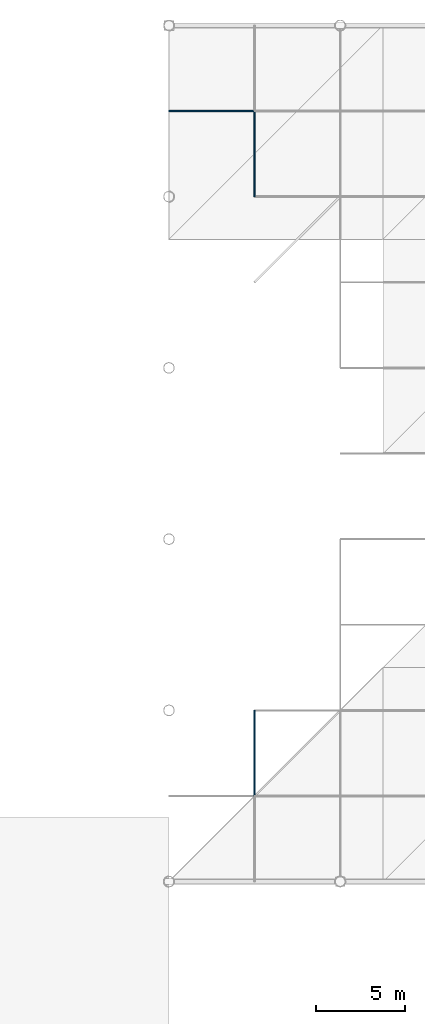
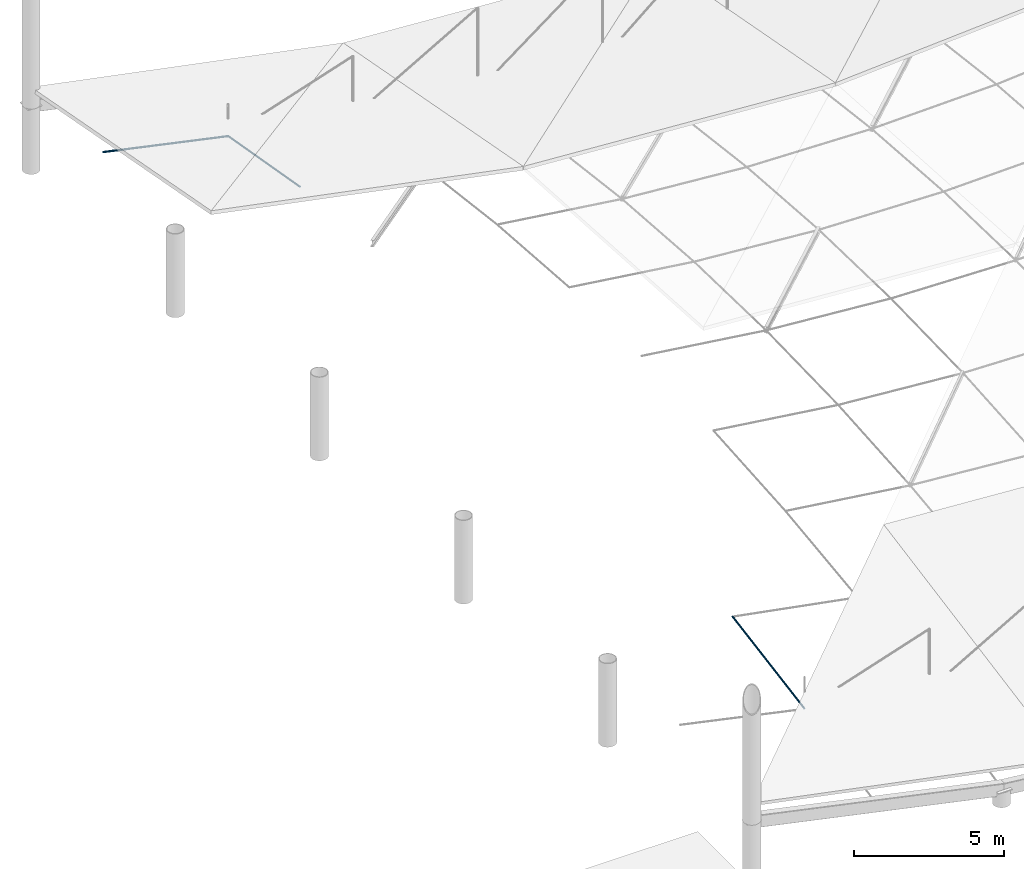
# One storey, part 19 of 40: 3 members.
"""IFC4 building model written with IfcOpenShell, lengths in metres."""

from ifc_helpers import new_model, si_unit, direction, frame, origin, origin_2d, place, context, subcontext, project, spatial, circle, extrude, material, material_profile, profile_set, type_object, element, save


model = new_model("IFC4")

# Units and contexts
model_context = context("Model", 3, precision=1e-05, world=origin(), true_north=direction((0.0, 1.0)))
body_context = subcontext(model_context, "Body", "Model", "MODEL_VIEW")
ifc_project = project(units=[si_unit("LENGTHUNIT", "METRE"), si_unit("AREAUNIT", "SQUARE_METRE"), si_unit("VOLUMEUNIT", "CUBIC_METRE"), si_unit("PLANEANGLEUNIT", "RADIAN"), si_unit("MASSUNIT", "GRAM", prefix="KILO")], contexts=[model_context])

# Site, building, storey
site_placement = place(None, origin())
site = spatial("IfcSite", under=ifc_project, at=site_placement, CompositionType="ELEMENT")
building_placement = place(site_placement, origin())
building = spatial("IfcBuilding", under=site, at=building_placement, Name="Zevrakil Square Congress Hotel", CompositionType="ELEMENT")
storey_placement = place(building_placement, frame((0.0, 0.0, 18.10009765625)))
storey = spatial("IfcBuildingStorey", under=building, at=storey_placement, Name="L05", CompositionType="ELEMENT", Elevation=18.10009765625)

# Members
ifc_material_1 = material(Name="Steel S355", Category="steel")
ifc_material_profile_1 = material_profile(ifc_material_1, circle(Radius=0.033935546875, at=origin_2d()), Name="CABLE RD68")
ifc_profile_set_1 = profile_set([ifc_material_profile_1], Name="Steel S355")
member_type_1 = type_object("IfcMemberType", Name="MEM-CABLE-RD68", PredefinedType="USERDEFINED", material=ifc_profile_set_1)
member_1_placement = place(storey_placement, frame((122.39990234375, 69.60009765625, 2.587890625), z_axis=(0.0, 0.985026213109, 0.172404638825), x_axis=(-1.0, 0.0, 0.0)))
element("IfcMember", 1, at=member_1_placement, inside=storey, type_object=member_type_1, Name="Congress saddle stabilizing cable CBH-01 seg 2", ObjectType="ROOF CABLE", PredefinedType="USERDEFINED", context=body_context, shape_type="SweptSolid", body=[
    extrude(circle(Radius=0.033935546875, at=origin_2d()), origin(), (0.0, 0.0, 1.0), 4.872802734375),
])
member_2_placement = place(storey_placement, frame((122.39990234375, 103.199951171875, 3.427978515625), z_axis=(0.0, 0.98502770223, -0.172396130582), x_axis=(-1.0, 0.0, 0.0)))
element("IfcMember", 2, at=member_2_placement, inside=storey, type_object=member_type_1, Name="Congress saddle stabilizing cable CBH-01 seg 9", ObjectType="ROOF CABLE", PredefinedType="USERDEFINED", context=body_context, shape_type="SweptSolid", body=[
    extrude(circle(Radius=0.033935546875, at=origin_2d()), origin(), (0.0, 0.0, 1.0), 4.873046875),
])
ifc_material_2 = material(Name="Steel S355", Category="steel")
ifc_material_profile_2 = material_profile(ifc_material_2, circle(Radius=0.0380859375, at=origin_2d()), Name="CABLE RD76")
ifc_profile_set_2 = profile_set([ifc_material_profile_2], Name="Steel S355")
member_type_2 = type_object("IfcMemberType", Name="MEM-CABLE-RD76", PredefinedType="USERDEFINED", material=ifc_profile_set_2)
member_3_placement = place(storey_placement, frame((117.60009765625, 108.0, 3.60986328125), z_axis=(0.977658092129, 0.0, -0.210201462636), x_axis=(0.0, 1.0, 0.0)))
element("IfcMember", 3, at=member_3_placement, inside=storey, type_object=member_type_2, Name="Congress saddle carrying cable CBS-09 seg 1", ObjectType="ROOF CABLE", PredefinedType="USERDEFINED", context=body_context, shape_type="SweptSolid", body=[
    extrude(circle(Radius=0.0380859375, at=origin_2d()), origin(), (0.0, 0.0, 1.0), 4.909423828125),
])

save(model, "model.ifc")
